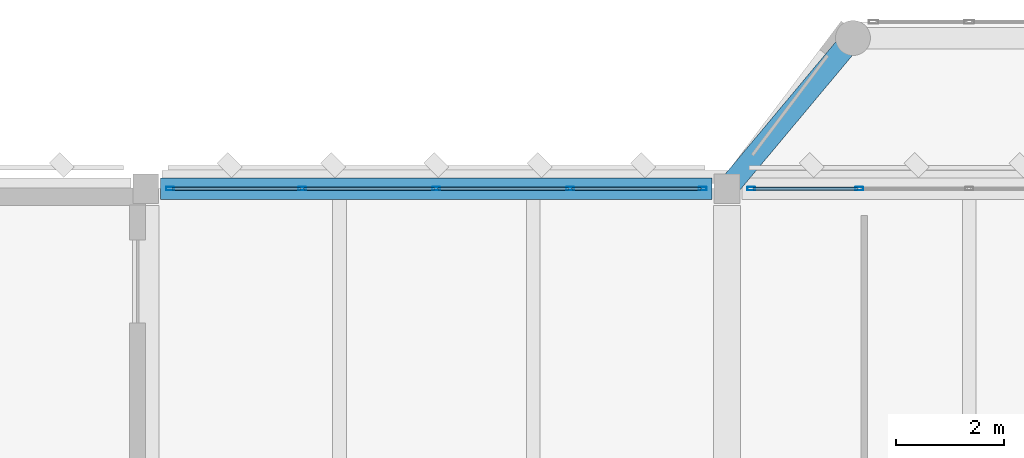
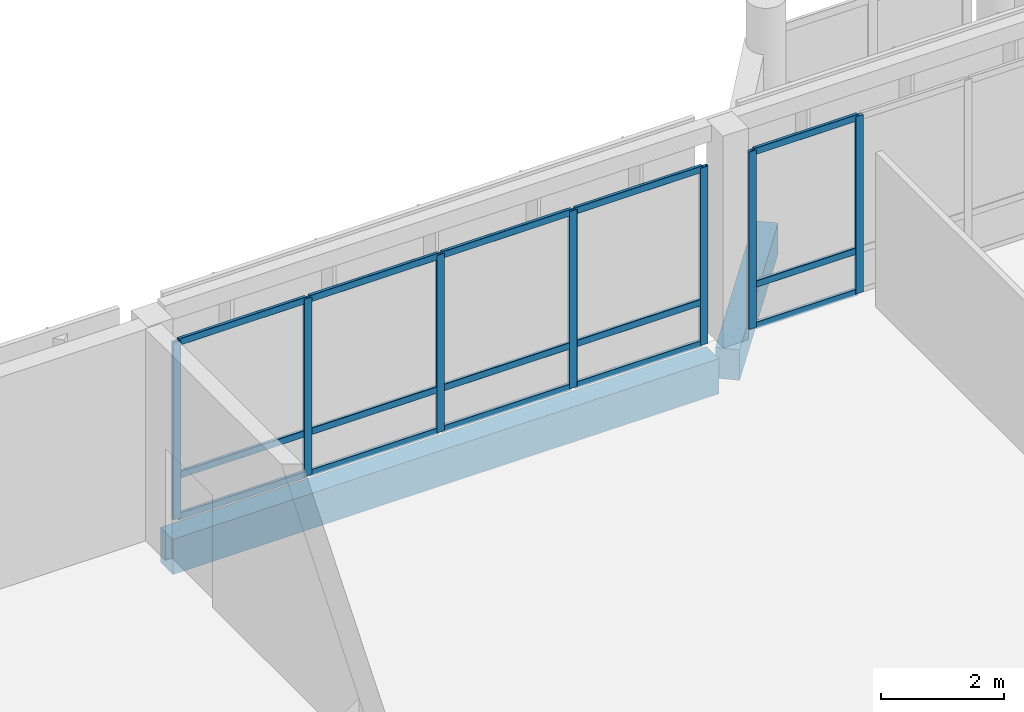
# One storey, part 37 of 72: 22 members, 2 beams, 2 elements without a shape of their own.
"""IFC4 building model written with IfcOpenShell, lengths in metres."""

from ifc_helpers import new_model, si_unit, direction, frame, origin, origin_2d, place, context, subcontext, project, spatial, rectangle, hollow_rectangle, extrude, material, material_profile, profile_set, type_object, element, aggregate, save


model = new_model("IFC4")

# Units and contexts
model_context = context("Model", 3, precision=1e-05, world=origin(), true_north=direction((0.0, 1.0)))
body_context = subcontext(model_context, "Body", "Model", "MODEL_VIEW")
ifc_project = project(units=[si_unit("LENGTHUNIT", "METRE"), si_unit("AREAUNIT", "SQUARE_METRE"), si_unit("VOLUMEUNIT", "CUBIC_METRE"), si_unit("PLANEANGLEUNIT", "RADIAN"), si_unit("MASSUNIT", "GRAM", prefix="KILO")], contexts=[model_context])

# Site, building, storey
site_placement = place(None, origin())
site = spatial("IfcSite", under=ifc_project, at=site_placement, CompositionType="ELEMENT")
building_placement = place(site_placement, origin())
building = spatial("IfcBuilding", under=site, at=building_placement, Name="Lusvemor Sports Hall", CompositionType="ELEMENT")
storey_placement = place(building_placement, frame((0.0, 0.0, 15.0)))
storey = spatial("IfcBuildingStorey", under=building, at=storey_placement, Name="L03", CompositionType="ELEMENT", Elevation=15.0)

# Curtain wall, members
ifc_material_1 = material(Name="Thermally broken bronze-anodized aluminium", Category="aluminium")
curtain_wall_type = type_object("IfcCurtainWallType", Name="CW_WING_B", PredefinedType="NOTDEFINED", material=ifc_material_1)
curtain_wall_1_placement = place(storey_placement, origin())
curtain_wall_1 = element("IfcCurtainWall", 1, at=curtain_wall_1_placement, inside=storey, type_object=curtain_wall_type, Name="Curtain Wall CW-L03-N-1-6", PredefinedType="NOTDEFINED")
ifc_material_2 = material(Name="Thermally broken bronze-anodized aluminium", Category="aluminium")
ifc_material_profile_1 = material_profile(ifc_material_2, hollow_rectangle(XDim=0.06494140625, YDim=0.14990234375, WallThickness=0.00390625, InnerFilletRadius=0.00390625, OuterFilletRadius=0.008056640625, at=origin_2d()), Name="CWMUL150x65x4")
ifc_profile_set_1 = profile_set([ifc_material_profile_1], Name="Thermally broken bronze-anodized aluminium")
member_type_1 = type_object("IfcMemberType", Name="CW_MUL_B", PredefinedType="MULLION", material=ifc_profile_set_1)
member_1_placement = place(storey_placement, frame((65.25244140625, 115.199951171875, 0.0), z_axis=(0.0, 0.0, 1.0), x_axis=(0.0, 1.0, 0.0)))
member_1 = element("IfcMember", 2, at=member_1_placement, type_object=member_type_1, Name="CW02 mullion 1", PredefinedType="MULLION", context=body_context, shape_type="SweptSolid", body=[
    extrude(hollow_rectangle(XDim=0.06494140625, YDim=0.14990234375, WallThickness=0.00390625, InnerFilletRadius=0.00390625, OuterFilletRadius=0.008056640625, at=origin_2d()), origin(), (0.0, 0.0, 1.0), 3.52001953125),
])
member_2_placement = place(storey_placement, frame((67.7099609375, 115.199951171875, 0.0), z_axis=(0.0, 0.0, 1.0), x_axis=(0.0, 1.0, 0.0)))
member_2 = element("IfcMember", 3, at=member_2_placement, type_object=member_type_1, Name="CW02 mullion 2", PredefinedType="MULLION", context=body_context, shape_type="SweptSolid", body=[
    extrude(hollow_rectangle(XDim=0.06494140625, YDim=0.14990234375, WallThickness=0.00390625, InnerFilletRadius=0.00390625, OuterFilletRadius=0.008056640625, at=origin_2d()), origin(), (0.0, 0.0, 1.0), 3.52001953125),
])
member_3_placement = place(storey_placement, frame((70.199951171875, 115.199951171875, 0.0), z_axis=(0.0, 0.0, 1.0), x_axis=(0.0, 1.0, 0.0)))
member_3 = element("IfcMember", 4, at=member_3_placement, type_object=member_type_1, Name="CW02 mullion 3", PredefinedType="MULLION", context=body_context, shape_type="SweptSolid", body=[
    extrude(hollow_rectangle(XDim=0.06494140625, YDim=0.14990234375, WallThickness=0.00390625, InnerFilletRadius=0.00390625, OuterFilletRadius=0.008056640625, at=origin_2d()), origin(), (0.0, 0.0, 1.0), 3.52001953125),
])
member_4_placement = place(storey_placement, frame((72.68994140625, 115.199951171875, 0.0), z_axis=(0.0, 0.0, 1.0), x_axis=(0.0, 1.0, 0.0)))
member_4 = element("IfcMember", 5, at=member_4_placement, type_object=member_type_1, Name="CW02 mullion 4", PredefinedType="MULLION", context=body_context, shape_type="SweptSolid", body=[
    extrude(hollow_rectangle(XDim=0.06494140625, YDim=0.14990234375, WallThickness=0.00390625, InnerFilletRadius=0.00390625, OuterFilletRadius=0.008056640625, at=origin_2d()), origin(), (0.0, 0.0, 1.0), 3.52001953125),
])
member_5_placement = place(storey_placement, frame((75.1474609375, 115.199951171875, 0.0), z_axis=(0.0, 0.0, 1.0), x_axis=(0.0, 1.0, 0.0)))
member_5 = element("IfcMember", 6, at=member_5_placement, type_object=member_type_1, Name="CW02 mullion 5", PredefinedType="MULLION", context=body_context, shape_type="SweptSolid", body=[
    extrude(hollow_rectangle(XDim=0.06494140625, YDim=0.14990234375, WallThickness=0.00390625, InnerFilletRadius=0.00390625, OuterFilletRadius=0.008056640625, at=origin_2d()), origin(), (0.0, 0.0, 1.0), 3.52001953125),
])

curtain_wall_2_placement = place(storey_placement, origin())
curtain_wall_2 = element("IfcCurtainWall", 7, at=curtain_wall_2_placement, inside=storey, type_object=curtain_wall_type, Name="Curtain Wall CW-L03-N-1-7", PredefinedType="NOTDEFINED")
member_6_placement = place(storey_placement, frame((76.052490234375, 115.199951171875, 0.0), z_axis=(0.0, 0.0, 1.0), x_axis=(0.0, 1.0, 0.0)))
member_6 = element("IfcMember", 8, at=member_6_placement, type_object=member_type_1, Name="CW02 mullion 1", PredefinedType="MULLION", context=body_context, shape_type="SweptSolid", body=[
    extrude(hollow_rectangle(XDim=0.06494140625, YDim=0.14990234375, WallThickness=0.00390625, InnerFilletRadius=0.00390625, OuterFilletRadius=0.008056640625, at=origin_2d()), origin(), (0.0, 0.0, 1.0), 3.52001953125),
])
member_7_placement = place(storey_placement, frame((78.06005859375, 115.199951171875, 0.0), z_axis=(0.0, 0.0, 1.0), x_axis=(0.0, 1.0, 0.0)))
member_7 = element("IfcMember", 9, at=member_7_placement, type_object=member_type_1, Name="CW02 mullion 2", PredefinedType="MULLION", context=body_context, shape_type="SweptSolid", body=[
    extrude(hollow_rectangle(XDim=0.06494140625, YDim=0.14990234375, WallThickness=0.00390625, InnerFilletRadius=0.00390625, OuterFilletRadius=0.008056640625, at=origin_2d()), origin(), (0.0, 0.0, 1.0), 3.52001953125),
])

# Member
ifc_material_3 = material(Name="Thermally broken bronze-anodized aluminium", Category="aluminium")
ifc_material_profile_2 = material_profile(ifc_material_3, hollow_rectangle(XDim=0.06005859375, YDim=0.135009765625, WallThickness=0.00390625, InnerFilletRadius=0.00390625, OuterFilletRadius=0.008056640625, at=origin_2d()), Name="CWTRN135x60x4")
ifc_profile_set_2 = profile_set([ifc_material_profile_2], Name="Thermally broken bronze-anodized aluminium")
member_type_2 = type_object("IfcMemberType", Name="CW_TRN_B", PredefinedType="USERDEFINED", material=ifc_profile_set_2)
member_8_placement = place(storey_placement, frame((65.284912109375, 115.199951171875, 0.030029296875), z_axis=(1.0, 0.0, 0.0), x_axis=(0.0, 1.0, 0.0)))
member_8 = element("IfcMember", 10, at=member_8_placement, type_object=member_type_2, Name="CW02 transom 1.1", ObjectType="TRANSOM", PredefinedType="USERDEFINED", context=body_context, shape_type="SweptSolid", body=[
    extrude(hollow_rectangle(XDim=0.06005859375, YDim=0.135009765625, WallThickness=0.00390625, InnerFilletRadius=0.00390625, OuterFilletRadius=0.008056640625, at=origin_2d()), origin(), (0.0, 0.0, 1.0), 2.392578125),
])

member_9_placement = place(storey_placement, frame((65.284912109375, 115.199951171875, 0.85009765625), z_axis=(1.0, 0.0, 0.0), x_axis=(0.0, 1.0, 0.0)))
member_9 = element("IfcMember", 11, at=member_9_placement, type_object=member_type_2, Name="CW02 transom 1.2", ObjectType="TRANSOM", PredefinedType="USERDEFINED", context=body_context, shape_type="SweptSolid", body=[
    extrude(hollow_rectangle(XDim=0.06005859375, YDim=0.135009765625, WallThickness=0.00390625, InnerFilletRadius=0.00390625, OuterFilletRadius=0.008056640625, at=origin_2d()), origin(), (0.0, 0.0, 1.0), 2.392578125),
])

member_10_placement = place(storey_placement, frame((65.284912109375, 115.199951171875, 3.489990234375), z_axis=(1.0, 0.0, 0.0), x_axis=(0.0, 1.0, 0.0)))
member_10 = element("IfcMember", 12, at=member_10_placement, type_object=member_type_2, Name="CW02 transom 1.3", ObjectType="TRANSOM", PredefinedType="USERDEFINED", context=body_context, shape_type="SweptSolid", body=[
    extrude(hollow_rectangle(XDim=0.06005859375, YDim=0.135009765625, WallThickness=0.00390625, InnerFilletRadius=0.00390625, OuterFilletRadius=0.008056640625, at=origin_2d()), origin(), (0.0, 0.0, 1.0), 2.392578125),
])

member_11_placement = place(storey_placement, frame((67.742431640625, 115.199951171875, 0.030029296875), z_axis=(1.0, 0.0, 0.0), x_axis=(0.0, 1.0, 0.0)))
member_11 = element("IfcMember", 13, at=member_11_placement, type_object=member_type_2, Name="CW02 transom 2.1", ObjectType="TRANSOM", PredefinedType="USERDEFINED", context=body_context, shape_type="SweptSolid", body=[
    extrude(hollow_rectangle(XDim=0.06005859375, YDim=0.135009765625, WallThickness=0.00390625, InnerFilletRadius=0.00390625, OuterFilletRadius=0.008056640625, at=origin_2d()), origin(), (0.0, 0.0, 1.0), 2.425048828125),
])

member_12_placement = place(storey_placement, frame((67.742431640625, 115.199951171875, 0.85009765625), z_axis=(1.0, 0.0, 0.0), x_axis=(0.0, 1.0, 0.0)))
member_12 = element("IfcMember", 14, at=member_12_placement, type_object=member_type_2, Name="CW02 transom 2.2", ObjectType="TRANSOM", PredefinedType="USERDEFINED", context=body_context, shape_type="SweptSolid", body=[
    extrude(hollow_rectangle(XDim=0.06005859375, YDim=0.135009765625, WallThickness=0.00390625, InnerFilletRadius=0.00390625, OuterFilletRadius=0.008056640625, at=origin_2d()), origin(), (0.0, 0.0, 1.0), 2.425048828125),
])

member_13_placement = place(storey_placement, frame((67.742431640625, 115.199951171875, 3.489990234375), z_axis=(1.0, 0.0, 0.0), x_axis=(0.0, 1.0, 0.0)))
member_13 = element("IfcMember", 15, at=member_13_placement, type_object=member_type_2, Name="CW02 transom 2.3", ObjectType="TRANSOM", PredefinedType="USERDEFINED", context=body_context, shape_type="SweptSolid", body=[
    extrude(hollow_rectangle(XDim=0.06005859375, YDim=0.135009765625, WallThickness=0.00390625, InnerFilletRadius=0.00390625, OuterFilletRadius=0.008056640625, at=origin_2d()), origin(), (0.0, 0.0, 1.0), 2.425048828125),
])

member_14_placement = place(storey_placement, frame((70.232421875, 115.199951171875, 0.030029296875), z_axis=(1.0, 0.0, 0.0), x_axis=(0.0, 1.0, 0.0)))
member_14 = element("IfcMember", 16, at=member_14_placement, type_object=member_type_2, Name="CW02 transom 3.1", ObjectType="TRANSOM", PredefinedType="USERDEFINED", context=body_context, shape_type="SweptSolid", body=[
    extrude(hollow_rectangle(XDim=0.06005859375, YDim=0.135009765625, WallThickness=0.00390625, InnerFilletRadius=0.00390625, OuterFilletRadius=0.008056640625, at=origin_2d()), origin(), (0.0, 0.0, 1.0), 2.425048828125),
])

member_15_placement = place(storey_placement, frame((70.232421875, 115.199951171875, 0.85009765625), z_axis=(1.0, 0.0, 0.0), x_axis=(0.0, 1.0, 0.0)))
member_15 = element("IfcMember", 17, at=member_15_placement, type_object=member_type_2, Name="CW02 transom 3.2", ObjectType="TRANSOM", PredefinedType="USERDEFINED", context=body_context, shape_type="SweptSolid", body=[
    extrude(hollow_rectangle(XDim=0.06005859375, YDim=0.135009765625, WallThickness=0.00390625, InnerFilletRadius=0.00390625, OuterFilletRadius=0.008056640625, at=origin_2d()), origin(), (0.0, 0.0, 1.0), 2.425048828125),
])

member_16_placement = place(storey_placement, frame((70.232421875, 115.199951171875, 3.489990234375), z_axis=(1.0, 0.0, 0.0), x_axis=(0.0, 1.0, 0.0)))
member_16 = element("IfcMember", 18, at=member_16_placement, type_object=member_type_2, Name="CW02 transom 3.3", ObjectType="TRANSOM", PredefinedType="USERDEFINED", context=body_context, shape_type="SweptSolid", body=[
    extrude(hollow_rectangle(XDim=0.06005859375, YDim=0.135009765625, WallThickness=0.00390625, InnerFilletRadius=0.00390625, OuterFilletRadius=0.008056640625, at=origin_2d()), origin(), (0.0, 0.0, 1.0), 2.425048828125),
])

member_17_placement = place(storey_placement, frame((72.722412109375, 115.199951171875, 0.030029296875), z_axis=(1.0, 0.0, 0.0), x_axis=(0.0, 1.0, 0.0)))
member_17 = element("IfcMember", 19, at=member_17_placement, type_object=member_type_2, Name="CW02 transom 4.1", ObjectType="TRANSOM", PredefinedType="USERDEFINED", context=body_context, shape_type="SweptSolid", body=[
    extrude(hollow_rectangle(XDim=0.06005859375, YDim=0.135009765625, WallThickness=0.00390625, InnerFilletRadius=0.00390625, OuterFilletRadius=0.008056640625, at=origin_2d()), origin(), (0.0, 0.0, 1.0), 2.392578125),
])

member_18_placement = place(storey_placement, frame((72.722412109375, 115.199951171875, 0.85009765625), z_axis=(1.0, 0.0, 0.0), x_axis=(0.0, 1.0, 0.0)))
member_18 = element("IfcMember", 20, at=member_18_placement, type_object=member_type_2, Name="CW02 transom 4.2", ObjectType="TRANSOM", PredefinedType="USERDEFINED", context=body_context, shape_type="SweptSolid", body=[
    extrude(hollow_rectangle(XDim=0.06005859375, YDim=0.135009765625, WallThickness=0.00390625, InnerFilletRadius=0.00390625, OuterFilletRadius=0.008056640625, at=origin_2d()), origin(), (0.0, 0.0, 1.0), 2.392578125),
])

member_19_placement = place(storey_placement, frame((72.722412109375, 115.199951171875, 3.489990234375), z_axis=(1.0, 0.0, 0.0), x_axis=(0.0, 1.0, 0.0)))
member_19 = element("IfcMember", 21, at=member_19_placement, type_object=member_type_2, Name="CW02 transom 4.3", ObjectType="TRANSOM", PredefinedType="USERDEFINED", context=body_context, shape_type="SweptSolid", body=[
    extrude(hollow_rectangle(XDim=0.06005859375, YDim=0.135009765625, WallThickness=0.00390625, InnerFilletRadius=0.00390625, OuterFilletRadius=0.008056640625, at=origin_2d()), origin(), (0.0, 0.0, 1.0), 2.392578125),
])

aggregate(curtain_wall_1, [member_1, member_2, member_3, member_4, member_5, member_8, member_9, member_10, member_11, member_12, member_13, member_14, member_15, member_16, member_17, member_18, member_19])

member_20_placement = place(storey_placement, frame((76.0849609375, 115.199951171875, 0.030029296875), z_axis=(1.0, 0.0, 0.0), x_axis=(0.0, 1.0, 0.0)))
member_20 = element("IfcMember", 22, at=member_20_placement, type_object=member_type_2, Name="CW02 transom 1.1", ObjectType="TRANSOM", PredefinedType="USERDEFINED", context=body_context, shape_type="SweptSolid", body=[
    extrude(hollow_rectangle(XDim=0.06005859375, YDim=0.135009765625, WallThickness=0.00390625, InnerFilletRadius=0.00390625, OuterFilletRadius=0.008056640625, at=origin_2d()), origin(), (0.0, 0.0, 1.0), 1.942626953125),
])

member_21_placement = place(storey_placement, frame((76.0849609375, 115.199951171875, 0.85009765625), z_axis=(1.0, 0.0, 0.0), x_axis=(0.0, 1.0, 0.0)))
member_21 = element("IfcMember", 23, at=member_21_placement, type_object=member_type_2, Name="CW02 transom 1.2", ObjectType="TRANSOM", PredefinedType="USERDEFINED", context=body_context, shape_type="SweptSolid", body=[
    extrude(hollow_rectangle(XDim=0.06005859375, YDim=0.135009765625, WallThickness=0.00390625, InnerFilletRadius=0.00390625, OuterFilletRadius=0.008056640625, at=origin_2d()), origin(), (0.0, 0.0, 1.0), 1.942626953125),
])

member_22_placement = place(storey_placement, frame((76.0849609375, 115.199951171875, 3.489990234375), z_axis=(1.0, 0.0, 0.0), x_axis=(0.0, 1.0, 0.0)))
member_22 = element("IfcMember", 24, at=member_22_placement, type_object=member_type_2, Name="CW02 transom 1.3", ObjectType="TRANSOM", PredefinedType="USERDEFINED", context=body_context, shape_type="SweptSolid", body=[
    extrude(hollow_rectangle(XDim=0.06005859375, YDim=0.135009765625, WallThickness=0.00390625, InnerFilletRadius=0.00390625, OuterFilletRadius=0.008056640625, at=origin_2d()), origin(), (0.0, 0.0, 1.0), 1.942626953125),
])

aggregate(curtain_wall_2, [member_6, member_7, member_20, member_21, member_22])

# Beams
ifc_material_4 = material(Name="Concrete C40/50", Category="concrete")
ifc_material_profile_3 = material_profile(ifc_material_4, rectangle(XDim=0.39990234375, YDim=0.610107421875, at=origin_2d()), Name="RC400x610")
ifc_profile_set_3 = profile_set([ifc_material_profile_3], Name="Concrete C40/50")
beam_type_1 = type_object("IfcBeamType", Name="SPAND_EXT_650", PredefinedType="SPANDREL", material=ifc_profile_set_3)
beam_1_placement = place(storey_placement, frame((75.60009765625, 115.199951171875, -0.56494140625), z_axis=(0.6412301768, 0.767348591164, 0.0), x_axis=(-0.767348591164, 0.6412301768, 0.0)))
element("IfcBeam", 25, at=beam_1_placement, inside=storey, type_object=beam_type_1, Name="Bow Pavilion Edge Beam BOW-N2 L03-1", PredefinedType="SPANDREL", context=body_context, shape_type="SweptSolid", body=[
    extrude(rectangle(XDim=0.39990234375, YDim=0.610107421875, at=origin_2d()), origin(), (0.0, 0.0, 1.0), 3.64892578125),
])
ifc_material_5 = material(Name="Concrete C40/50", Category="concrete")
ifc_material_profile_4 = material_profile(ifc_material_5, rectangle(XDim=0.39990234375, YDim=0.699951171875, at=origin_2d()), Name="RC400x700")
ifc_profile_set_4 = profile_set([ifc_material_profile_4], Name="Concrete C40/50")
beam_type_2 = type_object("IfcBeamType", Name="SPAND_EXT_700", PredefinedType="SPANDREL", material=ifc_profile_set_4)
beam_2_placement = place(storey_placement, frame((65.075927734375, 115.199951171875, -0.590087890625), z_axis=(1.0, 0.0, 0.0), x_axis=(0.0, 1.0, 0.0)))
element("IfcBeam", 26, at=beam_2_placement, inside=storey, type_object=beam_type_2, Name="Beam L03 Q:7-8", PredefinedType="SPANDREL", context=body_context, shape_type="SweptSolid", body=[
    extrude(rectangle(XDim=0.39990234375, YDim=0.699951171875, at=origin_2d()), origin(), (0.0, 0.0, 1.0), 10.248046875),
])

save(model, "model.ifc")
